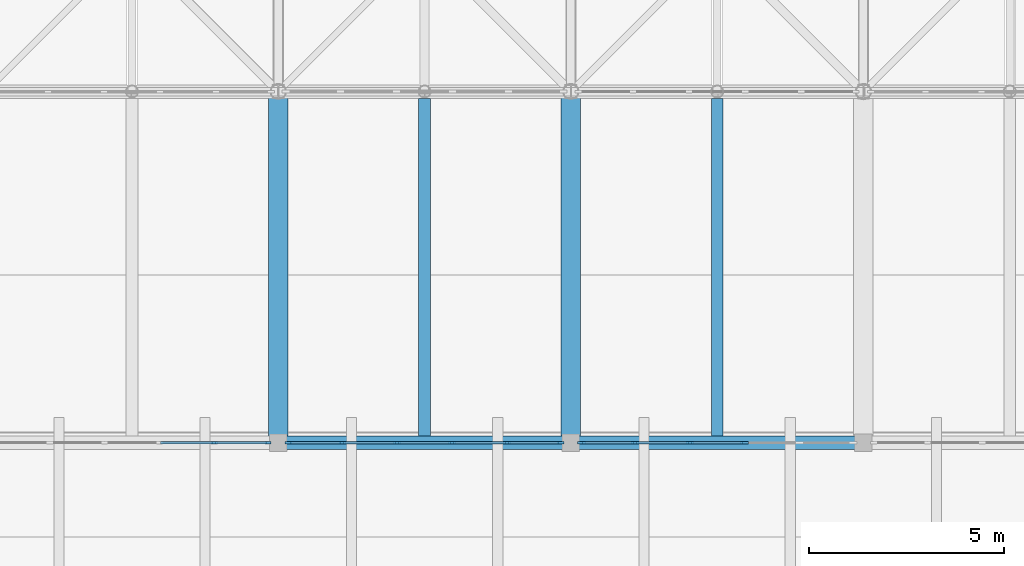
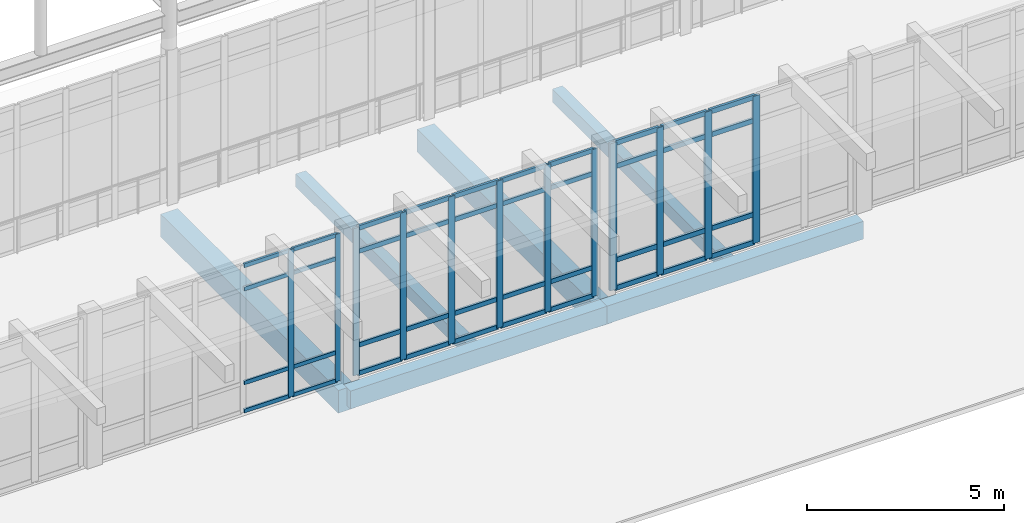
# One storey, part 27 of 131: 52 members, 6 beams, 3 elements without a shape of their own.
"""IFC4 building model written with IfcOpenShell, lengths in metres."""

from ifc_helpers import new_model, si_unit, direction, frame, origin, origin_2d, place, context, subcontext, project, spatial, rectangle, extrude, material, layer, layer_set, material_profile, profile_set, type_object, element, aggregate, save


model = new_model("IFC4")

# Units and contexts
model_context = context("Model", 3, precision=1e-05, world=origin(), true_north=direction((0.0, 1.0)))
body_context = subcontext(model_context, "Body", "Model", "MODEL_VIEW")
ifc_project = project(units=[si_unit("LENGTHUNIT", "METRE"), si_unit("AREAUNIT", "SQUARE_METRE"), si_unit("VOLUMEUNIT", "CUBIC_METRE"), si_unit("PLANEANGLEUNIT", "RADIAN"), si_unit("MASSUNIT", "GRAM", prefix="KILO")], contexts=[model_context])

# Site, building, storey
site_placement = place(None, origin())
site = spatial("IfcSite", under=ifc_project, at=site_placement, CompositionType="ELEMENT")
building_placement = place(site_placement, origin())
building = spatial("IfcBuilding", under=site, at=building_placement, Name="Dalvernix Boulevard General Hospital", CompositionType="ELEMENT")
storey_placement = place(building_placement, frame((0.0, 0.0, 9.300048828125)))
storey = spatial("IfcBuildingStorey", under=building, at=storey_placement, Name="L02", CompositionType="ELEMENT", Elevation=9.300048828125)

# Beams
ifc_material_1 = material(Name="Concrete C35/45", Category="concrete")
ifc_material_profile_1 = material_profile(ifc_material_1, rectangle(XDim=0.5, YDim=0.699951171875, at=origin_2d()), Name="RCB 500x700")
ifc_profile_set_1 = profile_set([ifc_material_profile_1], Name="Concrete C35/45")
beam_type_1 = type_object("IfcBeamType", Name="BM-B-01-I", PredefinedType="BEAM", material=ifc_profile_set_1)
for number, where, z_axis, x_axis, name in (
    (1, (82.5, 22.5, -0.670166015625), (0.0, 1.0, 0.0), (-1.0, 0.0, 0.0), "L02 N-S girder 12:D-E"),
    (2, (90.0, 22.5, -0.670166015625), (0.0, 1.0, 0.0), (-1.0, 0.0, 0.0), "L02 N-S girder 13:D-E"),
):
    element("IfcBeam", number, at=place(storey_placement, frame(where, z_axis=z_axis, x_axis=x_axis)), inside=storey, type_object=beam_type_1, Name=name, PredefinedType="BEAM", context=body_context, shape_type="SweptSolid", body=[
        extrude(rectangle(XDim=0.5, YDim=0.699951171875, at=origin_2d()), origin(), (0.0, 0.0, 1.0), 9.0),
    ])
ifc_material_profile_2 = material_profile(ifc_material_1, rectangle(XDim=0.300048828125, YDim=0.39990234375, at=origin_2d()), Name="RCB 300x400")
ifc_profile_set_2 = profile_set([ifc_material_profile_2], Name="Concrete C35/45")
beam_type_2 = type_object("IfcBeamType", Name="BM-JB-01", PredefinedType="JOIST", material=ifc_profile_set_2)
for number, where, z_axis, x_axis, name in (
    (3, (86.25, 22.675048828125, -0.52001953125), (0.0, 1.0, 0.0), (-1.0, 0.0, 0.0), "L02 secondary floor beam 12-D"),
    (4, (93.75, 22.675048828125, -0.52001953125), (0.0, 1.0, 0.0), (-1.0, 0.0, 0.0), "L02 secondary floor beam 13-D"),
):
    element("IfcBeam", number, at=place(storey_placement, frame(where, z_axis=z_axis, x_axis=x_axis)), inside=storey, type_object=beam_type_2, Name=name, PredefinedType="JOIST", context=body_context, shape_type="SweptSolid", body=[
        extrude(rectangle(XDim=0.300048828125, YDim=0.39990234375, at=origin_2d()), origin(), (0.0, 0.0, 1.0), 8.64990234375),
    ])
ifc_material_profile_3 = material_profile(ifc_material_1, rectangle(XDim=0.35009765625, YDim=0.550048828125, at=origin_2d()), Name="RCB 350x550")
ifc_profile_set_3 = profile_set([ifc_material_profile_3], Name="Concrete C35/45")
beam_type_3 = type_object("IfcBeamType", Name="BM-SB-01-E", PredefinedType="SPANDREL", material=ifc_profile_set_3)
for number, where, z_axis, x_axis, name in (
    (5, (82.5, 22.5, -0.594970703125), (1.0, 0.0, 0.0), (0.0, 1.0, 0.0), "L02 E-W girder D:12-13"),
    (6, (90.0, 22.5, -0.594970703125), (1.0, 0.0, 0.0), (0.0, 1.0, 0.0), "L02 E-W girder D:13-14"),
):
    element("IfcBeam", number, at=place(storey_placement, frame(where, z_axis=z_axis, x_axis=x_axis)), inside=storey, type_object=beam_type_3, Name=name, PredefinedType="SPANDREL", context=body_context, shape_type="SweptSolid", body=[
        extrude(rectangle(XDim=0.35009765625, YDim=0.550048828125, at=origin_2d()), origin(), (0.0, 0.0, 1.0), 7.5),
    ])

# Curtain wall, members
ifc_material_2 = material(Name="Thermally broken aluminium and solar-control glass curtain wall", Category="aluminium")
ifc_layer_1 = layer(ifc_material_2, 0.159912109375)
ifc_layer_set_1 = layer_set([ifc_layer_1], Name="Thermally broken aluminium and solar-control glass curtain wall (CW-CW-A-70x46)")
curtain_wall_type_1 = type_object("IfcCurtainWallType", Name="CW-CW-A-70x46", PredefinedType="USERDEFINED", material=ifc_layer_set_1)
curtain_wall_1_placement = place(storey_placement, origin())
curtain_wall_1 = element("IfcCurtainWall", 7, at=curtain_wall_1_placement, inside=storey, type_object=curtain_wall_type_1, Name="L02 curtain wall CW-A-70x46 10-3", ObjectType="GLAZED FACADE", PredefinedType="USERDEFINED")
ifc_material_3 = material(Name="Aluminium EN AW-6060", Category="aluminium")
ifc_material_profile_4 = material_profile(ifc_material_3, rectangle(XDim=0.06005859375, YDim=0.159912109375, at=origin_2d()), Name="ALU MULL 60x160")
ifc_profile_set_4 = profile_set([ifc_material_profile_4], Name="Aluminium EN AW-6060")
member_type_1 = type_object("IfcMemberType", Name="MEM-CW-M1", PredefinedType="MULLION", material=ifc_profile_set_4)
member_1_placement = place(storey_placement, frame((82.235107421875, 22.5, 0.0), z_axis=(0.0, 0.0, 1.0), x_axis=(0.0, -1.0, 0.0)))
member_1 = element("IfcMember", 8, at=member_1_placement, type_object=member_type_1, Name="CW-A-70x46 mullion 1", PredefinedType="MULLION", context=body_context, shape_type="SweptSolid", body=[
    extrude(rectangle(XDim=0.06005859375, YDim=0.159912109375, at=origin_2d()), origin(), (0.0, 0.0, 1.0), 4.550048828125),
])
member_2_placement = place(storey_placement, frame((80.85888671875, 22.5, 0.0), z_axis=(0.0, 0.0, 1.0), x_axis=(0.0, -1.0, 0.0)))
member_2 = element("IfcMember", 9, at=member_2_placement, type_object=member_type_1, Name="CW-A-70x46 mullion 2", PredefinedType="MULLION", context=body_context, shape_type="SweptSolid", body=[
    extrude(rectangle(XDim=0.06005859375, YDim=0.159912109375, at=origin_2d()), origin(), (0.0, 0.0, 1.0), 4.550048828125),
])

ifc_layer_2 = layer(ifc_material_2, 0.179931640625)
ifc_layer_set_2 = layer_set([ifc_layer_2], Name="Thermally broken aluminium and solar-control glass curtain wall (CW-CW-B-70x46)")
curtain_wall_type_2 = type_object("IfcCurtainWallType", Name="CW-CW-B-70x46", PredefinedType="USERDEFINED", material=ifc_layer_set_2)
curtain_wall_2_placement = place(storey_placement, origin())
curtain_wall_2 = element("IfcCurtainWall", 10, at=curtain_wall_2_placement, inside=storey, type_object=curtain_wall_type_2, Name="L02 curtain wall CW-B-70x46 11-3", ObjectType="GLAZED FACADE", PredefinedType="USERDEFINED")
ifc_material_profile_5 = material_profile(ifc_material_3, rectangle(XDim=0.06494140625, YDim=0.179931640625, at=origin_2d()), Name="ALU MULL 65x180")
ifc_profile_set_5 = profile_set([ifc_material_profile_5], Name="Aluminium EN AW-6060")
member_type_2 = type_object("IfcMemberType", Name="MEM-CW-M2", PredefinedType="MULLION", material=ifc_profile_set_5)
member_3_placement = place(storey_placement, frame((89.732421875, 22.5, 0.0), z_axis=(0.0, 0.0, 1.0), x_axis=(0.0, -1.0, 0.0)))
member_3 = element("IfcMember", 11, at=member_3_placement, type_object=member_type_2, Name="CW-B-70x46 mullion 1", PredefinedType="MULLION", context=body_context, shape_type="SweptSolid", body=[
    extrude(rectangle(XDim=0.06494140625, YDim=0.179931640625, at=origin_2d()), origin(), (0.0, 0.0, 1.0), 4.550048828125),
])
member_4_placement = place(storey_placement, frame((88.35888671875, 22.5, 0.0), z_axis=(0.0, 0.0, 1.0), x_axis=(0.0, -1.0, 0.0)))
member_4 = element("IfcMember", 12, at=member_4_placement, type_object=member_type_2, Name="CW-B-70x46 mullion 2", PredefinedType="MULLION", context=body_context, shape_type="SweptSolid", body=[
    extrude(rectangle(XDim=0.06494140625, YDim=0.179931640625, at=origin_2d()), origin(), (0.0, 0.0, 1.0), 4.550048828125),
])
member_5_placement = place(storey_placement, frame((86.952880859375, 22.5, 0.0), z_axis=(0.0, 0.0, 1.0), x_axis=(0.0, -1.0, 0.0)))
member_5 = element("IfcMember", 13, at=member_5_placement, type_object=member_type_2, Name="CW-B-70x46 mullion 3", PredefinedType="MULLION", context=body_context, shape_type="SweptSolid", body=[
    extrude(rectangle(XDim=0.06494140625, YDim=0.179931640625, at=origin_2d()), origin(), (0.0, 0.0, 1.0), 4.550048828125),
])
member_6_placement = place(storey_placement, frame((85.547119140625, 22.5, 0.0), z_axis=(0.0, 0.0, 1.0), x_axis=(0.0, -1.0, 0.0)))
member_6 = element("IfcMember", 14, at=member_6_placement, type_object=member_type_2, Name="CW-B-70x46 mullion 4", PredefinedType="MULLION", context=body_context, shape_type="SweptSolid", body=[
    extrude(rectangle(XDim=0.06494140625, YDim=0.179931640625, at=origin_2d()), origin(), (0.0, 0.0, 1.0), 4.550048828125),
])
member_7_placement = place(storey_placement, frame((84.14111328125, 22.5, 0.0), z_axis=(0.0, 0.0, 1.0), x_axis=(0.0, -1.0, 0.0)))
member_7 = element("IfcMember", 15, at=member_7_placement, type_object=member_type_2, Name="CW-B-70x46 mullion 5", PredefinedType="MULLION", context=body_context, shape_type="SweptSolid", body=[
    extrude(rectangle(XDim=0.06494140625, YDim=0.179931640625, at=origin_2d()), origin(), (0.0, 0.0, 1.0), 4.550048828125),
])
member_8_placement = place(storey_placement, frame((82.767578125, 22.5, 0.0), z_axis=(0.0, 0.0, 1.0), x_axis=(0.0, -1.0, 0.0)))
member_8 = element("IfcMember", 16, at=member_8_placement, type_object=member_type_2, Name="CW-B-70x46 mullion 6", PredefinedType="MULLION", context=body_context, shape_type="SweptSolid", body=[
    extrude(rectangle(XDim=0.06494140625, YDim=0.179931640625, at=origin_2d()), origin(), (0.0, 0.0, 1.0), 4.550048828125),
])

ifc_layer_3 = layer(ifc_material_2, 0.199951171875)
ifc_layer_set_3 = layer_set([ifc_layer_3], Name="Thermally broken aluminium and solar-control glass curtain wall (CW-CW-C-70x46)")
curtain_wall_type_3 = type_object("IfcCurtainWallType", Name="CW-CW-C-70x46", PredefinedType="USERDEFINED", material=ifc_layer_set_3)
curtain_wall_3_placement = place(storey_placement, origin())
curtain_wall_3 = element("IfcCurtainWall", 17, at=curtain_wall_3_placement, inside=storey, type_object=curtain_wall_type_3, Name="L02 curtain wall CW-C-70x46 12-3", ObjectType="GLAZED FACADE", PredefinedType="USERDEFINED")
ifc_material_profile_6 = material_profile(ifc_material_3, rectangle(XDim=0.070068359375, YDim=0.199951171875, at=origin_2d()), Name="ALU MULL 70x200")
ifc_profile_set_6 = profile_set([ifc_material_profile_6], Name="Aluminium EN AW-6060")
member_type_3 = type_object("IfcMemberType", Name="MEM-CW-M3", PredefinedType="MULLION", material=ifc_profile_set_6)
member_9_placement = place(storey_placement, frame((94.452880859375, 22.5, 0.0), z_axis=(0.0, 0.0, 1.0), x_axis=(0.0, -1.0, 0.0)))
member_9 = element("IfcMember", 18, at=member_9_placement, type_object=member_type_3, Name="CW-C-70x46 mullion 3", PredefinedType="MULLION", context=body_context, shape_type="SweptSolid", body=[
    extrude(rectangle(XDim=0.070068359375, YDim=0.199951171875, at=origin_2d()), origin(), (0.0, 0.0, 1.0), 4.550048828125),
])
member_10_placement = place(storey_placement, frame((93.047119140625, 22.5, 0.0), z_axis=(0.0, 0.0, 1.0), x_axis=(0.0, -1.0, 0.0)))
member_10 = element("IfcMember", 19, at=member_10_placement, type_object=member_type_3, Name="CW-C-70x46 mullion 4", PredefinedType="MULLION", context=body_context, shape_type="SweptSolid", body=[
    extrude(rectangle(XDim=0.070068359375, YDim=0.199951171875, at=origin_2d()), origin(), (0.0, 0.0, 1.0), 4.550048828125),
])
member_11_placement = place(storey_placement, frame((91.64111328125, 22.5, 0.0), z_axis=(0.0, 0.0, 1.0), x_axis=(0.0, -1.0, 0.0)))
member_11 = element("IfcMember", 20, at=member_11_placement, type_object=member_type_3, Name="CW-C-70x46 mullion 5", PredefinedType="MULLION", context=body_context, shape_type="SweptSolid", body=[
    extrude(rectangle(XDim=0.070068359375, YDim=0.199951171875, at=origin_2d()), origin(), (0.0, 0.0, 1.0), 4.550048828125),
])
member_12_placement = place(storey_placement, frame((90.27001953125, 22.5, 0.0), z_axis=(0.0, 0.0, 1.0), x_axis=(0.0, -1.0, 0.0)))
member_12 = element("IfcMember", 21, at=member_12_placement, type_object=member_type_3, Name="CW-C-70x46 mullion 6", PredefinedType="MULLION", context=body_context, shape_type="SweptSolid", body=[
    extrude(rectangle(XDim=0.070068359375, YDim=0.199951171875, at=origin_2d()), origin(), (0.0, 0.0, 1.0), 4.550048828125),
])

# Member
ifc_material_profile_7 = material_profile(ifc_material_3, rectangle(XDim=0.06005859375, YDim=0.1201171875, at=origin_2d()), Name="ALU TRAN 60x120")
ifc_profile_set_7 = profile_set([ifc_material_profile_7], Name="Aluminium EN AW-6060")
member_type_4 = type_object("IfcMemberType", Name="MEM-CW-T1", PredefinedType="USERDEFINED", material=ifc_profile_set_7)
member_13_placement = place(storey_placement, frame((82.205078125, 22.5, 0.030029296875), z_axis=(-1.0, 0.0, 0.0), x_axis=(0.0, -1.0, 0.0)))
member_13 = element("IfcMember", 22, at=member_13_placement, type_object=member_type_4, Name="CW-A-70x46 transom 1.1", ObjectType="TRANSOM", PredefinedType="USERDEFINED", context=body_context, shape_type="SweptSolid", body=[
    extrude(rectangle(XDim=0.06005859375, YDim=0.1201171875, at=origin_2d()), origin(), (0.0, 0.0, 1.0), 1.316162109375),
])

member_14_placement = place(storey_placement, frame((82.205078125, 22.5, 0.89990234375), z_axis=(-1.0, 0.0, 0.0), x_axis=(0.0, -1.0, 0.0)))
member_14 = element("IfcMember", 23, at=member_14_placement, type_object=member_type_4, Name="CW-A-70x46 transom 1.2", ObjectType="TRANSOM", PredefinedType="USERDEFINED", context=body_context, shape_type="SweptSolid", body=[
    extrude(rectangle(XDim=0.06005859375, YDim=0.1201171875, at=origin_2d()), origin(), (0.0, 0.0, 1.0), 1.316162109375),
])

member_15_placement = place(storey_placement, frame((82.205078125, 22.5, 3.800048828125), z_axis=(-1.0, 0.0, 0.0), x_axis=(0.0, -1.0, 0.0)))
member_15 = element("IfcMember", 24, at=member_15_placement, type_object=member_type_4, Name="CW-A-70x46 transom 1.3", ObjectType="TRANSOM", PredefinedType="USERDEFINED", context=body_context, shape_type="SweptSolid", body=[
    extrude(rectangle(XDim=0.06005859375, YDim=0.1201171875, at=origin_2d()), origin(), (0.0, 0.0, 1.0), 1.316162109375),
])

member_16_placement = place(storey_placement, frame((82.205078125, 22.5, 4.52001953125), z_axis=(-1.0, 0.0, 0.0), x_axis=(0.0, -1.0, 0.0)))
member_16 = element("IfcMember", 25, at=member_16_placement, type_object=member_type_4, Name="CW-A-70x46 transom 1.4", ObjectType="TRANSOM", PredefinedType="USERDEFINED", context=body_context, shape_type="SweptSolid", body=[
    extrude(rectangle(XDim=0.06005859375, YDim=0.1201171875, at=origin_2d()), origin(), (0.0, 0.0, 1.0), 1.316162109375),
])

member_17_placement = place(storey_placement, frame((80.8291015625, 22.5, 0.030029296875), z_axis=(-1.0, 0.0, 0.0), x_axis=(0.0, -1.0, 0.0)))
member_17 = element("IfcMember", 26, at=member_17_placement, type_object=member_type_4, Name="CW-A-70x46 transom 2.1", ObjectType="TRANSOM", PredefinedType="USERDEFINED", context=body_context, shape_type="SweptSolid", body=[
    extrude(rectangle(XDim=0.06005859375, YDim=0.1201171875, at=origin_2d()), origin(), (0.0, 0.0, 1.0), 1.34619140625),
])

member_18_placement = place(storey_placement, frame((80.8291015625, 22.5, 0.89990234375), z_axis=(-1.0, 0.0, 0.0), x_axis=(0.0, -1.0, 0.0)))
member_18 = element("IfcMember", 27, at=member_18_placement, type_object=member_type_4, Name="CW-A-70x46 transom 2.2", ObjectType="TRANSOM", PredefinedType="USERDEFINED", context=body_context, shape_type="SweptSolid", body=[
    extrude(rectangle(XDim=0.06005859375, YDim=0.1201171875, at=origin_2d()), origin(), (0.0, 0.0, 1.0), 1.34619140625),
])

member_19_placement = place(storey_placement, frame((80.8291015625, 22.5, 3.800048828125), z_axis=(-1.0, 0.0, 0.0), x_axis=(0.0, -1.0, 0.0)))
member_19 = element("IfcMember", 28, at=member_19_placement, type_object=member_type_4, Name="CW-A-70x46 transom 2.3", ObjectType="TRANSOM", PredefinedType="USERDEFINED", context=body_context, shape_type="SweptSolid", body=[
    extrude(rectangle(XDim=0.06005859375, YDim=0.1201171875, at=origin_2d()), origin(), (0.0, 0.0, 1.0), 1.34619140625),
])

member_20_placement = place(storey_placement, frame((80.8291015625, 22.5, 4.52001953125), z_axis=(-1.0, 0.0, 0.0), x_axis=(0.0, -1.0, 0.0)))
member_20 = element("IfcMember", 29, at=member_20_placement, type_object=member_type_4, Name="CW-A-70x46 transom 2.4", ObjectType="TRANSOM", PredefinedType="USERDEFINED", context=body_context, shape_type="SweptSolid", body=[
    extrude(rectangle(XDim=0.06005859375, YDim=0.1201171875, at=origin_2d()), origin(), (0.0, 0.0, 1.0), 1.34619140625),
])

aggregate(curtain_wall_1, [member_1, member_2, member_13, member_14, member_15, member_16, member_17, member_18, member_19, member_20])

ifc_material_profile_8 = material_profile(ifc_material_3, rectangle(XDim=0.06494140625, YDim=0.139892578125, at=origin_2d()), Name="ALU TRAN 65x140")
ifc_profile_set_8 = profile_set([ifc_material_profile_8], Name="Aluminium EN AW-6060")
member_type_5 = type_object("IfcMemberType", Name="MEM-CW-T2", PredefinedType="USERDEFINED", material=ifc_profile_set_8)
member_21_placement = place(storey_placement, frame((89.699951171875, 22.5, 0.032470703125), z_axis=(-1.0, 0.0, 0.0), x_axis=(0.0, -1.0, 0.0)))
member_21 = element("IfcMember", 30, at=member_21_placement, type_object=member_type_5, Name="CW-B-70x46 transom 1.1", ObjectType="TRANSOM", PredefinedType="USERDEFINED", context=body_context, shape_type="SweptSolid", body=[
    extrude(rectangle(XDim=0.06494140625, YDim=0.139892578125, at=origin_2d()), origin(), (0.0, 0.0, 1.0), 1.308349609375),
])

member_22_placement = place(storey_placement, frame((89.699951171875, 22.5, 0.89990234375), z_axis=(-1.0, 0.0, 0.0), x_axis=(0.0, -1.0, 0.0)))
member_22 = element("IfcMember", 31, at=member_22_placement, type_object=member_type_5, Name="CW-B-70x46 transom 1.2", ObjectType="TRANSOM", PredefinedType="USERDEFINED", context=body_context, shape_type="SweptSolid", body=[
    extrude(rectangle(XDim=0.06494140625, YDim=0.139892578125, at=origin_2d()), origin(), (0.0, 0.0, 1.0), 1.308349609375),
])

member_23_placement = place(storey_placement, frame((89.699951171875, 22.5, 3.800048828125), z_axis=(-1.0, 0.0, 0.0), x_axis=(0.0, -1.0, 0.0)))
member_23 = element("IfcMember", 32, at=member_23_placement, type_object=member_type_5, Name="CW-B-70x46 transom 1.3", ObjectType="TRANSOM", PredefinedType="USERDEFINED", context=body_context, shape_type="SweptSolid", body=[
    extrude(rectangle(XDim=0.06494140625, YDim=0.139892578125, at=origin_2d()), origin(), (0.0, 0.0, 1.0), 1.308349609375),
])

member_24_placement = place(storey_placement, frame((89.699951171875, 22.5, 4.517333984375), z_axis=(-1.0, 0.0, 0.0), x_axis=(0.0, -1.0, 0.0)))
member_24 = element("IfcMember", 33, at=member_24_placement, type_object=member_type_5, Name="CW-B-70x46 transom 1.4", ObjectType="TRANSOM", PredefinedType="USERDEFINED", context=body_context, shape_type="SweptSolid", body=[
    extrude(rectangle(XDim=0.06494140625, YDim=0.139892578125, at=origin_2d()), origin(), (0.0, 0.0, 1.0), 1.308349609375),
])

member_25_placement = place(storey_placement, frame((88.326416015625, 22.5, 0.032470703125), z_axis=(-1.0, 0.0, 0.0), x_axis=(0.0, -1.0, 0.0)))
member_25 = element("IfcMember", 34, at=member_25_placement, type_object=member_type_5, Name="CW-B-70x46 transom 2.1", ObjectType="TRANSOM", PredefinedType="USERDEFINED", context=body_context, shape_type="SweptSolid", body=[
    extrude(rectangle(XDim=0.06494140625, YDim=0.139892578125, at=origin_2d()), origin(), (0.0, 0.0, 1.0), 1.3408203125),
])

member_26_placement = place(storey_placement, frame((88.326416015625, 22.5, 0.89990234375), z_axis=(-1.0, 0.0, 0.0), x_axis=(0.0, -1.0, 0.0)))
member_26 = element("IfcMember", 35, at=member_26_placement, type_object=member_type_5, Name="CW-B-70x46 transom 2.2", ObjectType="TRANSOM", PredefinedType="USERDEFINED", context=body_context, shape_type="SweptSolid", body=[
    extrude(rectangle(XDim=0.06494140625, YDim=0.139892578125, at=origin_2d()), origin(), (0.0, 0.0, 1.0), 1.3408203125),
])

member_27_placement = place(storey_placement, frame((88.326416015625, 22.5, 3.800048828125), z_axis=(-1.0, 0.0, 0.0), x_axis=(0.0, -1.0, 0.0)))
member_27 = element("IfcMember", 36, at=member_27_placement, type_object=member_type_5, Name="CW-B-70x46 transom 2.3", ObjectType="TRANSOM", PredefinedType="USERDEFINED", context=body_context, shape_type="SweptSolid", body=[
    extrude(rectangle(XDim=0.06494140625, YDim=0.139892578125, at=origin_2d()), origin(), (0.0, 0.0, 1.0), 1.3408203125),
])

member_28_placement = place(storey_placement, frame((88.326416015625, 22.5, 4.517333984375), z_axis=(-1.0, 0.0, 0.0), x_axis=(0.0, -1.0, 0.0)))
member_28 = element("IfcMember", 37, at=member_28_placement, type_object=member_type_5, Name="CW-B-70x46 transom 2.4", ObjectType="TRANSOM", PredefinedType="USERDEFINED", context=body_context, shape_type="SweptSolid", body=[
    extrude(rectangle(XDim=0.06494140625, YDim=0.139892578125, at=origin_2d()), origin(), (0.0, 0.0, 1.0), 1.3408203125),
])

member_29_placement = place(storey_placement, frame((86.92041015625, 22.5, 0.032470703125), z_axis=(-1.0, 0.0, 0.0), x_axis=(0.0, -1.0, 0.0)))
member_29 = element("IfcMember", 38, at=member_29_placement, type_object=member_type_5, Name="CW-B-70x46 transom 3.1", ObjectType="TRANSOM", PredefinedType="USERDEFINED", context=body_context, shape_type="SweptSolid", body=[
    extrude(rectangle(XDim=0.06494140625, YDim=0.139892578125, at=origin_2d()), origin(), (0.0, 0.0, 1.0), 1.3408203125),
])

member_30_placement = place(storey_placement, frame((86.92041015625, 22.5, 0.89990234375), z_axis=(-1.0, 0.0, 0.0), x_axis=(0.0, -1.0, 0.0)))
member_30 = element("IfcMember", 39, at=member_30_placement, type_object=member_type_5, Name="CW-B-70x46 transom 3.2", ObjectType="TRANSOM", PredefinedType="USERDEFINED", context=body_context, shape_type="SweptSolid", body=[
    extrude(rectangle(XDim=0.06494140625, YDim=0.139892578125, at=origin_2d()), origin(), (0.0, 0.0, 1.0), 1.3408203125),
])

member_31_placement = place(storey_placement, frame((86.92041015625, 22.5, 3.800048828125), z_axis=(-1.0, 0.0, 0.0), x_axis=(0.0, -1.0, 0.0)))
member_31 = element("IfcMember", 40, at=member_31_placement, type_object=member_type_5, Name="CW-B-70x46 transom 3.3", ObjectType="TRANSOM", PredefinedType="USERDEFINED", context=body_context, shape_type="SweptSolid", body=[
    extrude(rectangle(XDim=0.06494140625, YDim=0.139892578125, at=origin_2d()), origin(), (0.0, 0.0, 1.0), 1.3408203125),
])

member_32_placement = place(storey_placement, frame((86.92041015625, 22.5, 4.517333984375), z_axis=(-1.0, 0.0, 0.0), x_axis=(0.0, -1.0, 0.0)))
member_32 = element("IfcMember", 41, at=member_32_placement, type_object=member_type_5, Name="CW-B-70x46 transom 3.4", ObjectType="TRANSOM", PredefinedType="USERDEFINED", context=body_context, shape_type="SweptSolid", body=[
    extrude(rectangle(XDim=0.06494140625, YDim=0.139892578125, at=origin_2d()), origin(), (0.0, 0.0, 1.0), 1.3408203125),
])

member_33_placement = place(storey_placement, frame((85.514404296875, 22.5, 0.032470703125), z_axis=(-1.0, 0.0, 0.0), x_axis=(0.0, -1.0, 0.0)))
member_33 = element("IfcMember", 42, at=member_33_placement, type_object=member_type_5, Name="CW-B-70x46 transom 4.1", ObjectType="TRANSOM", PredefinedType="USERDEFINED", context=body_context, shape_type="SweptSolid", body=[
    extrude(rectangle(XDim=0.06494140625, YDim=0.139892578125, at=origin_2d()), origin(), (0.0, 0.0, 1.0), 1.3408203125),
])

member_34_placement = place(storey_placement, frame((85.514404296875, 22.5, 0.89990234375), z_axis=(-1.0, 0.0, 0.0), x_axis=(0.0, -1.0, 0.0)))
member_34 = element("IfcMember", 43, at=member_34_placement, type_object=member_type_5, Name="CW-B-70x46 transom 4.2", ObjectType="TRANSOM", PredefinedType="USERDEFINED", context=body_context, shape_type="SweptSolid", body=[
    extrude(rectangle(XDim=0.06494140625, YDim=0.139892578125, at=origin_2d()), origin(), (0.0, 0.0, 1.0), 1.3408203125),
])

member_35_placement = place(storey_placement, frame((85.514404296875, 22.5, 3.800048828125), z_axis=(-1.0, 0.0, 0.0), x_axis=(0.0, -1.0, 0.0)))
member_35 = element("IfcMember", 44, at=member_35_placement, type_object=member_type_5, Name="CW-B-70x46 transom 4.3", ObjectType="TRANSOM", PredefinedType="USERDEFINED", context=body_context, shape_type="SweptSolid", body=[
    extrude(rectangle(XDim=0.06494140625, YDim=0.139892578125, at=origin_2d()), origin(), (0.0, 0.0, 1.0), 1.3408203125),
])

member_36_placement = place(storey_placement, frame((85.514404296875, 22.5, 4.517333984375), z_axis=(-1.0, 0.0, 0.0), x_axis=(0.0, -1.0, 0.0)))
member_36 = element("IfcMember", 45, at=member_36_placement, type_object=member_type_5, Name="CW-B-70x46 transom 4.4", ObjectType="TRANSOM", PredefinedType="USERDEFINED", context=body_context, shape_type="SweptSolid", body=[
    extrude(rectangle(XDim=0.06494140625, YDim=0.139892578125, at=origin_2d()), origin(), (0.0, 0.0, 1.0), 1.3408203125),
])

member_37_placement = place(storey_placement, frame((84.1083984375, 22.5, 0.032470703125), z_axis=(-1.0, 0.0, 0.0), x_axis=(0.0, -1.0, 0.0)))
member_37 = element("IfcMember", 46, at=member_37_placement, type_object=member_type_5, Name="CW-B-70x46 transom 5.1", ObjectType="TRANSOM", PredefinedType="USERDEFINED", context=body_context, shape_type="SweptSolid", body=[
    extrude(rectangle(XDim=0.06494140625, YDim=0.139892578125, at=origin_2d()), origin(), (0.0, 0.0, 1.0), 1.308349609375),
])

member_38_placement = place(storey_placement, frame((84.1083984375, 22.5, 0.89990234375), z_axis=(-1.0, 0.0, 0.0), x_axis=(0.0, -1.0, 0.0)))
member_38 = element("IfcMember", 47, at=member_38_placement, type_object=member_type_5, Name="CW-B-70x46 transom 5.2", ObjectType="TRANSOM", PredefinedType="USERDEFINED", context=body_context, shape_type="SweptSolid", body=[
    extrude(rectangle(XDim=0.06494140625, YDim=0.139892578125, at=origin_2d()), origin(), (0.0, 0.0, 1.0), 1.308349609375),
])

member_39_placement = place(storey_placement, frame((84.1083984375, 22.5, 3.800048828125), z_axis=(-1.0, 0.0, 0.0), x_axis=(0.0, -1.0, 0.0)))
member_39 = element("IfcMember", 48, at=member_39_placement, type_object=member_type_5, Name="CW-B-70x46 transom 5.3", ObjectType="TRANSOM", PredefinedType="USERDEFINED", context=body_context, shape_type="SweptSolid", body=[
    extrude(rectangle(XDim=0.06494140625, YDim=0.139892578125, at=origin_2d()), origin(), (0.0, 0.0, 1.0), 1.308349609375),
])

member_40_placement = place(storey_placement, frame((84.1083984375, 22.5, 4.517333984375), z_axis=(-1.0, 0.0, 0.0), x_axis=(0.0, -1.0, 0.0)))
member_40 = element("IfcMember", 49, at=member_40_placement, type_object=member_type_5, Name="CW-B-70x46 transom 5.4", ObjectType="TRANSOM", PredefinedType="USERDEFINED", context=body_context, shape_type="SweptSolid", body=[
    extrude(rectangle(XDim=0.06494140625, YDim=0.139892578125, at=origin_2d()), origin(), (0.0, 0.0, 1.0), 1.308349609375),
])

aggregate(curtain_wall_2, [member_3, member_4, member_5, member_6, member_7, member_8, member_21, member_22, member_23, member_24, member_25, member_26, member_27, member_28, member_29, member_30, member_31, member_32, member_33, member_34, member_35, member_36, member_37, member_38, member_39, member_40])

ifc_material_profile_9 = material_profile(ifc_material_3, rectangle(XDim=0.070068359375, YDim=0.14990234375, at=origin_2d()), Name="ALU TRAN 70x150")
ifc_profile_set_9 = profile_set([ifc_material_profile_9], Name="Aluminium EN AW-6060")
member_type_6 = type_object("IfcMemberType", Name="MEM-CW-T3", PredefinedType="USERDEFINED", material=ifc_profile_set_9)
member_41_placement = place(storey_placement, frame((94.41796875, 22.5, 0.034912109375), z_axis=(-1.0, 0.0, 0.0), x_axis=(0.0, -1.0, 0.0)))
member_41 = element("IfcMember", 50, at=member_41_placement, type_object=member_type_6, Name="CW-C-70x46 transom 3.1", ObjectType="TRANSOM", PredefinedType="USERDEFINED", context=body_context, shape_type="SweptSolid", body=[
    extrude(rectangle(XDim=0.070068359375, YDim=0.14990234375, at=origin_2d()), origin(), (0.0, 0.0, 1.0), 1.3359375),
])

member_42_placement = place(storey_placement, frame((94.41796875, 22.5, 0.89990234375), z_axis=(-1.0, 0.0, 0.0), x_axis=(0.0, -1.0, 0.0)))
member_42 = element("IfcMember", 51, at=member_42_placement, type_object=member_type_6, Name="CW-C-70x46 transom 3.2", ObjectType="TRANSOM", PredefinedType="USERDEFINED", context=body_context, shape_type="SweptSolid", body=[
    extrude(rectangle(XDim=0.070068359375, YDim=0.14990234375, at=origin_2d()), origin(), (0.0, 0.0, 1.0), 1.3359375),
])

member_43_placement = place(storey_placement, frame((94.41796875, 22.5, 3.800048828125), z_axis=(-1.0, 0.0, 0.0), x_axis=(0.0, -1.0, 0.0)))
member_43 = element("IfcMember", 52, at=member_43_placement, type_object=member_type_6, Name="CW-C-70x46 transom 3.3", ObjectType="TRANSOM", PredefinedType="USERDEFINED", context=body_context, shape_type="SweptSolid", body=[
    extrude(rectangle(XDim=0.070068359375, YDim=0.14990234375, at=origin_2d()), origin(), (0.0, 0.0, 1.0), 1.3359375),
])

member_44_placement = place(storey_placement, frame((94.41796875, 22.5, 4.514892578125), z_axis=(-1.0, 0.0, 0.0), x_axis=(0.0, -1.0, 0.0)))
member_44 = element("IfcMember", 53, at=member_44_placement, type_object=member_type_6, Name="CW-C-70x46 transom 3.4", ObjectType="TRANSOM", PredefinedType="USERDEFINED", context=body_context, shape_type="SweptSolid", body=[
    extrude(rectangle(XDim=0.070068359375, YDim=0.14990234375, at=origin_2d()), origin(), (0.0, 0.0, 1.0), 1.3359375),
])

member_45_placement = place(storey_placement, frame((93.011962890625, 22.5, 0.034912109375), z_axis=(-1.0, 0.0, 0.0), x_axis=(0.0, -1.0, 0.0)))
member_45 = element("IfcMember", 54, at=member_45_placement, type_object=member_type_6, Name="CW-C-70x46 transom 4.1", ObjectType="TRANSOM", PredefinedType="USERDEFINED", context=body_context, shape_type="SweptSolid", body=[
    extrude(rectangle(XDim=0.070068359375, YDim=0.14990234375, at=origin_2d()), origin(), (0.0, 0.0, 1.0), 1.3359375),
])

member_46_placement = place(storey_placement, frame((93.011962890625, 22.5, 0.89990234375), z_axis=(-1.0, 0.0, 0.0), x_axis=(0.0, -1.0, 0.0)))
member_46 = element("IfcMember", 55, at=member_46_placement, type_object=member_type_6, Name="CW-C-70x46 transom 4.2", ObjectType="TRANSOM", PredefinedType="USERDEFINED", context=body_context, shape_type="SweptSolid", body=[
    extrude(rectangle(XDim=0.070068359375, YDim=0.14990234375, at=origin_2d()), origin(), (0.0, 0.0, 1.0), 1.3359375),
])

member_47_placement = place(storey_placement, frame((93.011962890625, 22.5, 3.800048828125), z_axis=(-1.0, 0.0, 0.0), x_axis=(0.0, -1.0, 0.0)))
member_47 = element("IfcMember", 56, at=member_47_placement, type_object=member_type_6, Name="CW-C-70x46 transom 4.3", ObjectType="TRANSOM", PredefinedType="USERDEFINED", context=body_context, shape_type="SweptSolid", body=[
    extrude(rectangle(XDim=0.070068359375, YDim=0.14990234375, at=origin_2d()), origin(), (0.0, 0.0, 1.0), 1.3359375),
])

member_48_placement = place(storey_placement, frame((93.011962890625, 22.5, 4.514892578125), z_axis=(-1.0, 0.0, 0.0), x_axis=(0.0, -1.0, 0.0)))
member_48 = element("IfcMember", 57, at=member_48_placement, type_object=member_type_6, Name="CW-C-70x46 transom 4.4", ObjectType="TRANSOM", PredefinedType="USERDEFINED", context=body_context, shape_type="SweptSolid", body=[
    extrude(rectangle(XDim=0.070068359375, YDim=0.14990234375, at=origin_2d()), origin(), (0.0, 0.0, 1.0), 1.3359375),
])

member_49_placement = place(storey_placement, frame((91.60595703125, 22.5, 0.034912109375), z_axis=(-1.0, 0.0, 0.0), x_axis=(0.0, -1.0, 0.0)))
member_49 = element("IfcMember", 58, at=member_49_placement, type_object=member_type_6, Name="CW-C-70x46 transom 5.1", ObjectType="TRANSOM", PredefinedType="USERDEFINED", context=body_context, shape_type="SweptSolid", body=[
    extrude(rectangle(XDim=0.070068359375, YDim=0.14990234375, at=origin_2d()), origin(), (0.0, 0.0, 1.0), 1.301025390625),
])

member_50_placement = place(storey_placement, frame((91.60595703125, 22.5, 0.89990234375), z_axis=(-1.0, 0.0, 0.0), x_axis=(0.0, -1.0, 0.0)))
member_50 = element("IfcMember", 59, at=member_50_placement, type_object=member_type_6, Name="CW-C-70x46 transom 5.2", ObjectType="TRANSOM", PredefinedType="USERDEFINED", context=body_context, shape_type="SweptSolid", body=[
    extrude(rectangle(XDim=0.070068359375, YDim=0.14990234375, at=origin_2d()), origin(), (0.0, 0.0, 1.0), 1.301025390625),
])

member_51_placement = place(storey_placement, frame((91.60595703125, 22.5, 3.800048828125), z_axis=(-1.0, 0.0, 0.0), x_axis=(0.0, -1.0, 0.0)))
member_51 = element("IfcMember", 60, at=member_51_placement, type_object=member_type_6, Name="CW-C-70x46 transom 5.3", ObjectType="TRANSOM", PredefinedType="USERDEFINED", context=body_context, shape_type="SweptSolid", body=[
    extrude(rectangle(XDim=0.070068359375, YDim=0.14990234375, at=origin_2d()), origin(), (0.0, 0.0, 1.0), 1.301025390625),
])

member_52_placement = place(storey_placement, frame((91.60595703125, 22.5, 4.514892578125), z_axis=(-1.0, 0.0, 0.0), x_axis=(0.0, -1.0, 0.0)))
member_52 = element("IfcMember", 61, at=member_52_placement, type_object=member_type_6, Name="CW-C-70x46 transom 5.4", ObjectType="TRANSOM", PredefinedType="USERDEFINED", context=body_context, shape_type="SweptSolid", body=[
    extrude(rectangle(XDim=0.070068359375, YDim=0.14990234375, at=origin_2d()), origin(), (0.0, 0.0, 1.0), 1.301025390625),
])

aggregate(curtain_wall_3, [member_9, member_10, member_11, member_12, member_41, member_42, member_43, member_44, member_45, member_46, member_47, member_48, member_49, member_50, member_51, member_52])

save(model, "model.ifc")
